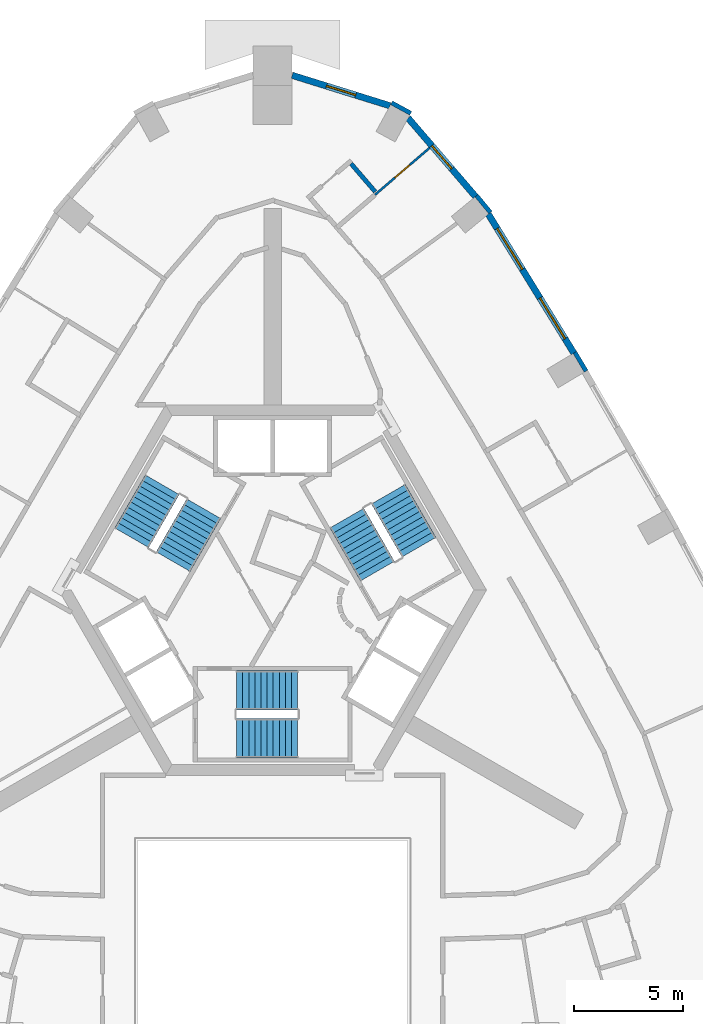
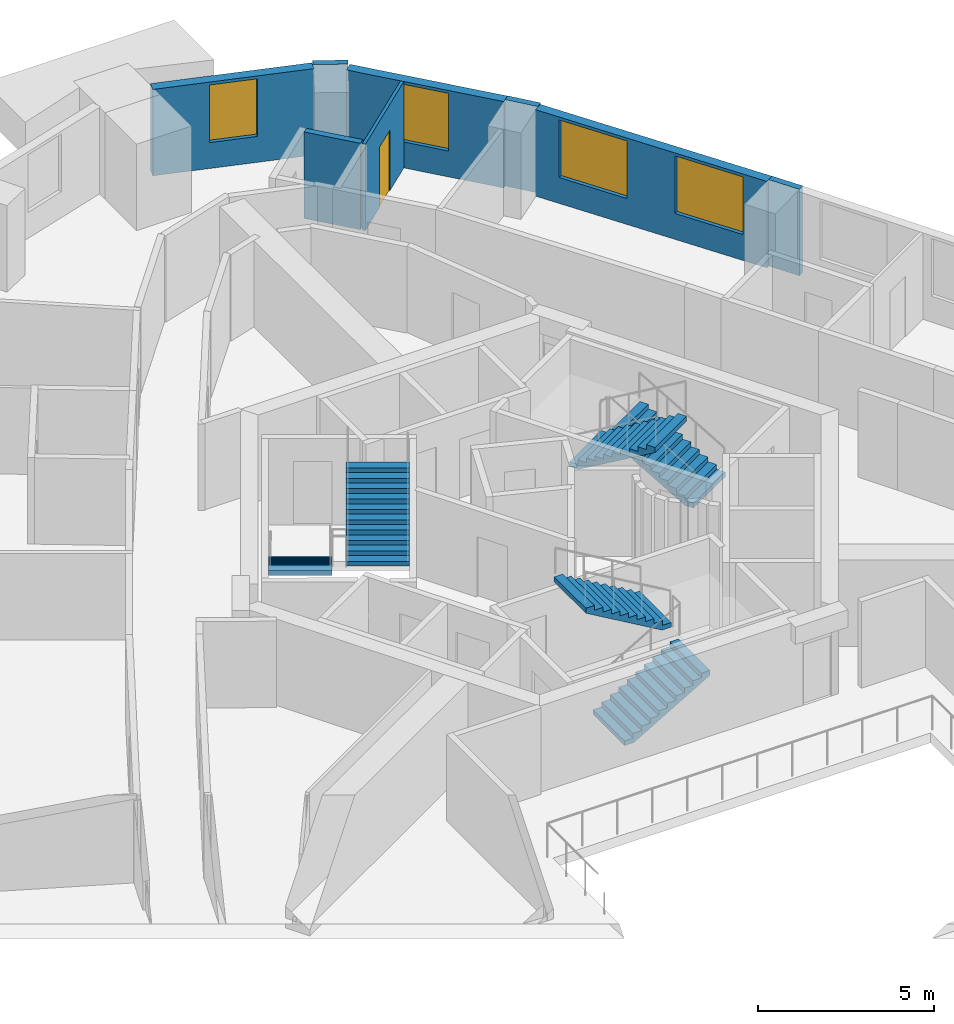
# One storey, part 8 of 10: 8 walls, 6 stair flights, 4 windows, 1 door, 5 openings, 3 elements without a shape of their own.
"""IFC4 building model written with IfcOpenShell, lengths in metres."""

from ifc_helpers import new_model, si_unit, direction, frame, frame_2d, origin, place, context, subcontext, project, spatial, polyline, rectangle, outline, extrude, material, layer, layer_set, type_object, element, fill, aggregate, save


model = new_model("IFC4")

# Units and contexts
model_context = context("Model", 3, precision=1e-05, world=origin(), true_north=direction((0.0, 1.0)))
body_context = subcontext(model_context, "Body", "Model", "MODEL_VIEW")
ifc_project = project(units=[si_unit("LENGTHUNIT", "METRE"), si_unit("AREAUNIT", "SQUARE_METRE"), si_unit("VOLUMEUNIT", "CUBIC_METRE"), si_unit("PLANEANGLEUNIT", "RADIAN"), si_unit("MASSUNIT", "GRAM", prefix="KILO")], contexts=[model_context])

# Site, building, storey
site_placement = place(None, origin())
site = spatial("IfcSite", under=ifc_project, at=site_placement, CompositionType="ELEMENT")
building_placement = place(site_placement, origin())
building = spatial("IfcBuilding", under=site, at=building_placement, Name="Entoto Arch Interchange Tower", CompositionType="ELEMENT")
storey_placement = place(building_placement, frame((0.0, 0.0, 322.39990234375)))
storey = spatial("IfcBuildingStorey", under=building, at=storey_placement, Name="L76", CompositionType="ELEMENT", Elevation=322.39990234375)

# Wall, opening, door
ifc_material_1 = material(Name="Gypsum board partition on steel studs", Category="steel")
ifc_layer_1 = layer(ifc_material_1, 0.10009765625)
ifc_layer_set_1 = layer_set([ifc_layer_1], Name="Gypsum board partition on steel studs")
wall_type_1 = type_object("IfcWallType", Name="PARTITION 100", PredefinedType="PARTITIONING", material=ifc_layer_set_1)
wall_1_placement = place(storey_placement, frame((4.697998046875, 20.632080078125, 0.0), z_axis=(0.0, 0.0, 1.0), x_axis=(0.75843091069, 0.651753445491, 0.0)))
wall_1 = element("IfcWall", 1, at=wall_1_placement, inside=storey, type_object=wall_type_1, Name="wall:L76:p092", PredefinedType="PARTITIONING", context=body_context, shape_type="SweptSolid", body=[
    extrude(rectangle(XDim=3.300048828125, YDim=0.10009765625, at=frame_2d((1.64990234375, 0.0))), origin(), (0.0, 0.0, 1.0), 3.0),
])
opening_1_placement = place(wall_1_placement, frame((1.199951171875, 0.0, 0.0)))
opening_1 = element("IfcOpeningElement", 2, at=opening_1_placement, cuts=wall_1, Name="Opening L76-D08", PredefinedType="OPENING", context=body_context, shape_type="SweptSolid", body=[
    extrude(rectangle(XDim=0.89990234375, YDim=2.10009765625, at=frame_2d((0.449951171875, 1.050048828125))), frame((0.0, 0.06005859375, 0.0), z_axis=(0.0, -1.0, 0.0), x_axis=(1.0, 0.0, 0.0)), (0.0, 0.0, 1.0), 0.1201171875),
])
ifc_material_2 = material(Name="Timber door leaf in Steel S235 frame", Category="steel")
door_type = type_object("IfcDoorType", Name="DOOR DS-09 900x2100", OperationType="SINGLE_SWING_LEFT", PredefinedType="DOOR", material=ifc_material_2)
door_placement = place(opening_1_placement, origin())
door = element("IfcDoor", 3, at=door_placement, inside=storey, type_object=door_type, Name="door:L76:08", OperationType="SINGLE_SWING_RIGHT", OverallHeight=2.10009765625, OverallWidth=0.89990234375, PredefinedType="DOOR", context=body_context, shape_type="SweptSolid", body=[
    extrude(rectangle(XDim=0.89990234375, YDim=2.10009765625, at=frame_2d((0.449951171875, 1.050048828125))), frame((0.0, 0.02490234375, 0.0), z_axis=(0.0, -1.0, 0.0), x_axis=(1.0, 0.0, 0.0)), (0.0, 0.0, 1.0), 0.050048828125),
])
fill(opening_1, door)

# Wall
ifc_layer_2 = layer(ifc_material_1, 0.199951171875)
ifc_layer_set_2 = layer_set([ifc_layer_2], Name="Gypsum board partition on steel studs")
wall_type_2 = type_object("IfcWallType", Name="PARTITION 200", PredefinedType="PARTITIONING", material=ifc_layer_set_2)
wall_2_placement = place(storey_placement, frame((4.708984375, 20.77294921875, 0.0), z_axis=(0.0, 0.0, 1.0), x_axis=(-0.651808051275, 0.758383982092, 0.0)))
element("IfcWall", 4, at=wall_2_placement, inside=storey, type_object=wall_type_2, Name="wall:L76:p094", PredefinedType="PARTITIONING", context=body_context, shape_type="SweptSolid", body=[
    extrude(rectangle(XDim=1.69970703125, YDim=0.199951171875, at=frame_2d((0.849853515625, 0.0))), origin(), (0.0, 0.0, 1.0), 3.0),
])

# Wall, openings, windows
ifc_material_3 = material(Name="Welded tuff (ignimbrite) cladding, warm buff", Category="masonry")
ifc_layer_3 = layer(ifc_material_3, 0.300048828125)
ifc_layer_set_3 = layer_set([ifc_layer_3], Name="Welded tuff (ignimbrite) cladding, warm buff")
wall_type_3 = type_object("IfcWallType", Name="STONE INFILL WALL 300", PredefinedType="STANDARD", material=ifc_layer_set_3)
wall_3_placement = place(storey_placement, frame((13.822998046875, 13.3720703125, 0.0), z_axis=(0.0, 0.0, 1.0), x_axis=(-0.524004608874, 0.851715427757, 0.0)))
wall_3 = element("IfcWall", 5, at=wall_3_placement, inside=storey, type_object=wall_type_3, Name="Facade wall NE-03 L76", PredefinedType="STANDARD", context=body_context, shape_type="SweptSolid", body=[
    extrude(rectangle(XDim=7.48486328125, YDim=0.300048828125, at=frame_2d((3.742431640625, 0.0))), origin(), (0.0, 0.0, 1.0), 3.0),
])
opening_2_placement = place(wall_3_placement, frame((0.77099609375, 0.0, 0.89990234375)))
opening_2 = element("IfcOpeningElement", 6, at=opening_2_placement, cuts=wall_3, Name="Opening WH-A", PredefinedType="OPENING", context=body_context, shape_type="SweptSolid", body=[
    extrude(rectangle(XDim=2.199951171875, YDim=2.0, at=frame_2d((1.10009765625, 1.0))), frame((0.0, 0.16015625, 0.0), z_axis=(0.0, -1.0, 0.0), x_axis=(1.0, 0.0, 0.0)), (0.0, 0.0, 1.0), 0.320068359375),
])
opening_3_placement = place(wall_3_placement, frame((4.513916015625, 0.0, 0.89990234375)))
opening_3 = element("IfcOpeningElement", 7, at=opening_3_placement, cuts=wall_3, Name="Opening WH-A", PredefinedType="OPENING", context=body_context, shape_type="SweptSolid", body=[
    extrude(rectangle(XDim=2.199951171875, YDim=2.0, at=frame_2d((1.10009765625, 1.0))), frame((0.0, 0.16015625, 0.0), z_axis=(0.0, -1.0, 0.0), x_axis=(1.0, 0.0, 0.0)), (0.0, 0.0, 1.0), 0.320068359375),
])
ifc_material_4 = material(Name="Clear glass, low-e double glazed", Category="glass")
window_type_1 = type_object("IfcWindowType", Name="WINDOW WH-A 2200x2000", PartitioningType="DOUBLE_PANEL_VERTICAL", PredefinedType="WINDOW", material=ifc_material_4)
window_1_placement = place(opening_2_placement, origin())
window_1 = element("IfcWindow", 8, at=window_1_placement, inside=storey, type_object=window_type_1, Name="Window WH-A NE-03 L76", OverallHeight=2.0, OverallWidth=2.199951171875, PartitioningType="SINGLE_PANEL", PredefinedType="WINDOW", context=body_context, shape_type="SweptSolid", body=[
    extrude(rectangle(XDim=2.199951171875, YDim=2.0, at=frame_2d((1.10009765625, 1.0))), frame((0.0, 0.030029296875, 0.0), z_axis=(0.0, -1.0, 0.0), x_axis=(1.0, 0.0, 0.0)), (0.0, 0.0, 1.0), 0.06005859375),
])
fill(opening_2, window_1)
window_2_placement = place(opening_3_placement, origin())
window_2 = element("IfcWindow", 9, at=window_2_placement, inside=storey, type_object=window_type_1, Name="Window WH-A NE-03 L76", OverallHeight=2.0, OverallWidth=2.199951171875, PartitioningType="SINGLE_PANEL", PredefinedType="WINDOW", context=body_context, shape_type="SweptSolid", body=[
    extrude(rectangle(XDim=2.199951171875, YDim=2.0, at=frame_2d((1.10009765625, 1.0))), frame((0.0, 0.030029296875, 0.0), z_axis=(0.0, -1.0, 0.0), x_axis=(1.0, 0.0, 0.0)), (0.0, 0.0, 1.0), 0.06005859375),
])
fill(opening_3, window_2)

# Wall, opening, window
wall_4_placement = place(storey_placement, frame((9.31298828125, 20.554931640625, 0.0), z_axis=(0.0, 0.0, 1.0), x_axis=(-0.651684474108, 0.758490175419, 0.0)))
wall_4 = element("IfcWall", 10, at=wall_4_placement, inside=storey, type_object=wall_type_3, Name="Facade wall N-01 L76", PredefinedType="STANDARD", context=body_context, shape_type="SweptSolid", body=[
    extrude(rectangle(XDim=4.747802734375, YDim=0.300048828125, at=frame_2d((2.3740234375, 0.0))), origin(), (0.0, 0.0, 1.0), 3.0),
])
opening_4_placement = place(wall_4_placement, frame((1.674072265625, 0.0, 0.89990234375)))
opening_4 = element("IfcOpeningElement", 11, at=opening_4_placement, cuts=wall_4, Name="Opening WH-B", PredefinedType="OPENING", context=body_context, shape_type="SweptSolid", body=[
    extrude(rectangle(XDim=1.39990234375, YDim=2.0, at=frame_2d((0.699951171875, 1.0))), frame((0.0, 0.16015625, 0.0), z_axis=(0.0, -1.0, 0.0), x_axis=(1.0, 0.0, 0.0)), (0.0, 0.0, 1.0), 0.320068359375),
])
window_type_2 = type_object("IfcWindowType", Name="WINDOW WH-B 1400x2000", PartitioningType="DOUBLE_PANEL_VERTICAL", PredefinedType="WINDOW", material=ifc_material_4)
window_3_placement = place(opening_4_placement, origin())
window_3 = element("IfcWindow", 12, at=window_3_placement, inside=storey, type_object=window_type_2, Name="Window WH-B N-01 L76", OverallHeight=2.0, OverallWidth=1.39990234375, PartitioningType="SINGLE_PANEL", PredefinedType="WINDOW", context=body_context, shape_type="SweptSolid", body=[
    extrude(rectangle(XDim=1.39990234375, YDim=2.0, at=frame_2d((0.699951171875, 1.0))), frame((0.0, 0.030029296875, 0.0), z_axis=(0.0, -1.0, 0.0), x_axis=(1.0, 0.0, 0.0)), (0.0, 0.0, 1.0), 0.06005859375),
])
fill(opening_4, window_3)

wall_5_placement = place(storey_placement, frame((5.388916015625, 24.718017578125, 0.0), z_axis=(0.0, 0.0, 1.0), x_axis=(-0.954792612552, 0.297272714886, 0.0)))
wall_5 = element("IfcWall", 13, at=wall_5_placement, inside=storey, type_object=wall_type_3, Name="Facade wall N-02 L76", PredefinedType="STANDARD", context=body_context, shape_type="SweptSolid", body=[
    extrude(rectangle(XDim=4.70263671875, YDim=0.300048828125, at=frame_2d((2.351318359375, 0.0))), origin(), (0.0, 0.0, 1.0), 3.0),
])
opening_5_placement = place(wall_5_placement, frame((1.65087890625, 0.0, 0.89990234375)))
opening_5 = element("IfcOpeningElement", 14, at=opening_5_placement, cuts=wall_5, Name="Opening WH-B", PredefinedType="OPENING", context=body_context, shape_type="SweptSolid", body=[
    extrude(rectangle(XDim=1.39990234375, YDim=2.0, at=frame_2d((0.699951171875, 1.0))), frame((0.0, 0.16015625, 0.0), z_axis=(0.0, -1.0, 0.0), x_axis=(1.0, 0.0, 0.0)), (0.0, 0.0, 1.0), 0.320068359375),
])
window_4_placement = place(opening_5_placement, origin())
window_4 = element("IfcWindow", 15, at=window_4_placement, inside=storey, type_object=window_type_2, Name="Window WH-B N-02 L76", OverallHeight=2.0, OverallWidth=1.39990234375, PartitioningType="SINGLE_PANEL", PredefinedType="WINDOW", context=body_context, shape_type="SweptSolid", body=[
    extrude(rectangle(XDim=1.39990234375, YDim=2.0, at=frame_2d((0.699951171875, 1.0))), frame((0.0, 0.030029296875, 0.0), z_axis=(0.0, -1.0, 0.0), x_axis=(1.0, 0.0, 0.0)), (0.0, 0.0, 1.0), 0.06005859375),
])
fill(opening_5, window_4)

# Walls
ifc_layer_4 = layer(ifc_material_3, 0.199951171875)
ifc_layer_set_4 = layer_set([ifc_layer_4], Name="Welded tuff (ignimbrite) cladding, warm buff")
wall_type_4 = type_object("IfcWallType", Name="STONE PIER CLADDING 200", PredefinedType="STANDARD", material=ifc_layer_set_4)
for number, where, z_axis, x_axis, name in (
    (16, (6.339111328125, 24.3740234375, 0.0), (0.0, 0.0, 1.0), (-0.877895572914, 0.478852130681, 0.0), "Stone pier N1 L76"),
    (17, (14.384033203125, 12.5439453125, 0.0), (0.0, 0.0, 1.0), (-0.513777707721, 0.857923345672, 0.0), "Stone pier NE03 L76"),
    (18, (9.9951171875, 19.822021484375, 0.0), (0.0, 0.0, 1.0), (-0.635998056672, 0.771690658172, 0.0), "Stone pier NE04 L76"),
):
    element("IfcWall", number, at=place(storey_placement, frame(where, z_axis=z_axis, x_axis=x_axis)), inside=storey, type_object=wall_type_4, Name=name, PredefinedType="STANDARD", context=body_context, shape_type="SweptSolid", body=[
        extrude(rectangle(XDim=1.000244140625, YDim=0.199951171875, at=frame_2d((0.5, 0.0))), origin(), (0.0, 0.0, 1.0), 3.0),
    ])

# Stair, stair flights
ifc_material_5 = material(Name="Concrete C40/50", Category="concrete")
stair_type = type_object("IfcStairType", Name="EXIT STAIR RC 1800", PredefinedType="HALF_TURN_STAIR", material=ifc_material_5)
stair_1_placement = place(storey_placement, origin())
stair_1 = element("IfcStair", 19, at=stair_1_placement, inside=storey, type_object=stair_type, Name="L76 Exit stair S", PredefinedType="HALF_TURN_STAIR")
stair_flight_type = type_object("IfcStairFlightType", Name="EXIT STAIR FLIGHT RC 1800", PredefinedType="STRAIGHT", material=ifc_material_5)
stair_flight_1_placement = place(storey_placement, frame((-1.64990234375, -4.300048828125, 0.0), z_axis=(0.0, 0.0, 1.0), x_axis=(1.0, 0.0, 0.0)))
stair_flight_1 = element("IfcStairFlight", 20, at=stair_flight_1_placement, type_object=stair_flight_type, Name="ST-S flight 1", NumberOfRisers=11, NumberOfTreads=10, PredefinedType="STRAIGHT", RiserHeight=0.163636364, TreadLength=0.28, context=body_context, shape_type="SweptSolid", body=[
    extrude(outline(polyline([(-0.0029296875, 0.0), (-0.0029296875, 0.16357421875), (0.280029296875, 0.16357421875), (0.280029296875, 0.327392578125), (0.56005859375, 0.327392578125), (0.56005859375, 0.490966796875), (0.840087890625, 0.490966796875), (0.840087890625, 0.654541015625), (1.1201171875, 0.654541015625), (1.1201171875, 0.818115234375), (1.39990234375, 0.818115234375), (1.39990234375, 0.98193359375), (1.679931640625, 0.98193359375), (1.679931640625, 1.1455078125), (1.9599609375, 1.1455078125), (1.9599609375, 1.30908203125), (2.239990234375, 1.30908203125), (2.239990234375, 1.47265625), (2.52001953125, 1.47265625), (2.52001953125, 1.636474609375), (2.800048828125, 1.636474609375), (2.802978515625, 1.636474609375), (2.802978515625, 1.464599609375), (0.297119140625, 0.0), (-0.0029296875, 0.0)])), frame((0.0, 0.89990234375, 0.0), z_axis=(0.0, -1.0, 0.0), x_axis=(1.0, 0.0, 0.0)), (0.0, 0.0, 1.0), 1.800048828125),
])
stair_flight_2_placement = place(storey_placement, frame((1.14990234375, -2.10009765625, 1.800048828125), z_axis=(0.0, 0.0, 1.0), x_axis=(-1.0, 0.0, 0.0)))
stair_flight_2 = element("IfcStairFlight", 21, at=stair_flight_2_placement, type_object=stair_flight_type, Name="ST-S flight 2", NumberOfRisers=11, NumberOfTreads=10, PredefinedType="STRAIGHT", RiserHeight=0.163636364, TreadLength=0.28, context=body_context, shape_type="SweptSolid", body=[
    extrude(outline(polyline([(-0.0029296875, 0.0), (-0.0029296875, 0.16357421875), (0.280029296875, 0.16357421875), (0.280029296875, 0.327392578125), (0.56005859375, 0.327392578125), (0.56005859375, 0.490966796875), (0.840087890625, 0.490966796875), (0.840087890625, 0.654541015625), (1.1201171875, 0.654541015625), (1.1201171875, 0.818115234375), (1.39990234375, 0.818115234375), (1.39990234375, 0.98193359375), (1.679931640625, 0.98193359375), (1.679931640625, 1.1455078125), (1.9599609375, 1.1455078125), (1.9599609375, 1.30908203125), (2.239990234375, 1.30908203125), (2.239990234375, 1.47265625), (2.52001953125, 1.47265625), (2.52001953125, 1.636474609375), (2.800048828125, 1.636474609375), (2.802978515625, 1.636474609375), (2.802978515625, 1.464599609375), (0.297119140625, 0.0), (-0.0029296875, 0.0)])), frame((0.0, 0.89990234375, 0.0), z_axis=(0.0, -1.0, 0.0), x_axis=(1.0, 0.0, 0.0)), (0.0, 0.0, 1.0), 1.800048828125),
])
aggregate(stair_1, [stair_flight_1, stair_flight_2])

stair_2_placement = place(storey_placement, origin())
stair_2 = element("IfcStair", 22, at=stair_2_placement, inside=storey, type_object=stair_type, Name="L76 Exit stair NE", PredefinedType="HALF_TURN_STAIR")
stair_flight_3_placement = place(storey_placement, frame((6.7138671875, 4.470947265625, 0.0), z_axis=(0.0, 0.0, 1.0), x_axis=(-0.5, 0.866025403784, 0.0)))
stair_flight_3 = element("IfcStairFlight", 23, at=stair_flight_3_placement, type_object=stair_flight_type, Name="ST-NE flight 1", NumberOfRisers=11, NumberOfTreads=10, PredefinedType="STRAIGHT", RiserHeight=0.163636364, TreadLength=0.28, context=body_context, shape_type="SweptSolid", body=[
    extrude(outline(polyline([(-0.0029296875, 0.0), (-0.0029296875, 0.16357421875), (0.280029296875, 0.16357421875), (0.280029296875, 0.327392578125), (0.56005859375, 0.327392578125), (0.56005859375, 0.490966796875), (0.840087890625, 0.490966796875), (0.840087890625, 0.654541015625), (1.1201171875, 0.654541015625), (1.1201171875, 0.818115234375), (1.39990234375, 0.818115234375), (1.39990234375, 0.98193359375), (1.679931640625, 0.98193359375), (1.679931640625, 1.1455078125), (1.9599609375, 1.1455078125), (1.9599609375, 1.30908203125), (2.239990234375, 1.30908203125), (2.239990234375, 1.47265625), (2.52001953125, 1.47265625), (2.52001953125, 1.636474609375), (2.800048828125, 1.636474609375), (2.802978515625, 1.636474609375), (2.802978515625, 1.464599609375), (0.297119140625, 0.0), (-0.0029296875, 0.0)])), frame((0.0, 0.89990234375, 0.0), z_axis=(0.0, -1.0, 0.0), x_axis=(1.0, 0.0, 0.0)), (0.0, 0.0, 1.0), 1.800048828125),
])
stair_flight_4_placement = place(storey_placement, frame((3.40869140625, 5.7958984375, 1.800048828125), z_axis=(0.0, 0.0, 1.0), x_axis=(0.5, -0.866025403784, 0.0)))
stair_flight_4 = element("IfcStairFlight", 24, at=stair_flight_4_placement, type_object=stair_flight_type, Name="ST-NE flight 2", NumberOfRisers=11, NumberOfTreads=10, PredefinedType="STRAIGHT", RiserHeight=0.163636364, TreadLength=0.28, context=body_context, shape_type="SweptSolid", body=[
    extrude(outline(polyline([(-0.0029296875, 0.0), (-0.0029296875, 0.16357421875), (0.280029296875, 0.16357421875), (0.280029296875, 0.327392578125), (0.56005859375, 0.327392578125), (0.56005859375, 0.490966796875), (0.840087890625, 0.490966796875), (0.840087890625, 0.654541015625), (1.1201171875, 0.654541015625), (1.1201171875, 0.818115234375), (1.39990234375, 0.818115234375), (1.39990234375, 0.98193359375), (1.679931640625, 0.98193359375), (1.679931640625, 1.1455078125), (1.9599609375, 1.1455078125), (1.9599609375, 1.30908203125), (2.239990234375, 1.30908203125), (2.239990234375, 1.47265625), (2.52001953125, 1.47265625), (2.52001953125, 1.636474609375), (2.800048828125, 1.636474609375), (2.802978515625, 1.636474609375), (2.802978515625, 1.464599609375), (0.297119140625, 0.0), (-0.0029296875, 0.0)])), frame((0.0, 0.89990234375, 0.0), z_axis=(0.0, -1.0, 0.0), x_axis=(1.0, 0.0, 0.0)), (0.0, 0.0, 1.0), 1.800048828125),
])
aggregate(stair_2, [stair_flight_3, stair_flight_4])

stair_3_placement = place(storey_placement, origin())
stair_3 = element("IfcStair", 25, at=stair_3_placement, inside=storey, type_object=stair_type, Name="L76 Exit stair NW", PredefinedType="HALF_TURN_STAIR")
stair_flight_5_placement = place(storey_placement, frame((-5.06396484375, 7.328857421875, 0.0), z_axis=(0.0, 0.0, 1.0), x_axis=(-0.5, -0.866025403784, 0.0)))
stair_flight_5 = element("IfcStairFlight", 26, at=stair_flight_5_placement, type_object=stair_flight_type, Name="ST-NW flight 1", NumberOfRisers=11, NumberOfTreads=10, PredefinedType="STRAIGHT", RiserHeight=0.163636364, TreadLength=0.28, context=body_context, shape_type="SweptSolid", body=[
    extrude(outline(polyline([(-0.0029296875, 0.0), (-0.0029296875, 0.16357421875), (0.280029296875, 0.16357421875), (0.280029296875, 0.327392578125), (0.56005859375, 0.327392578125), (0.56005859375, 0.490966796875), (0.840087890625, 0.490966796875), (0.840087890625, 0.654541015625), (1.1201171875, 0.654541015625), (1.1201171875, 0.818115234375), (1.39990234375, 0.818115234375), (1.39990234375, 0.98193359375), (1.679931640625, 0.98193359375), (1.679931640625, 1.1455078125), (1.9599609375, 1.1455078125), (1.9599609375, 1.30908203125), (2.239990234375, 1.30908203125), (2.239990234375, 1.47265625), (2.52001953125, 1.47265625), (2.52001953125, 1.636474609375), (2.800048828125, 1.636474609375), (2.802978515625, 1.636474609375), (2.802978515625, 1.464599609375), (0.297119140625, 0.0), (-0.0029296875, 0.0)])), frame((0.0, 0.89990234375, 0.0), z_axis=(0.0, -1.0, 0.0), x_axis=(1.0, 0.0, 0.0)), (0.0, 0.0, 1.0), 1.800048828125),
])
stair_flight_6_placement = place(storey_placement, frame((-4.558837890625, 3.803955078125, 1.800048828125), z_axis=(0.0, 0.0, 1.0), x_axis=(0.5, 0.866025403784, 0.0)))
stair_flight_6 = element("IfcStairFlight", 27, at=stair_flight_6_placement, type_object=stair_flight_type, Name="ST-NW flight 2", NumberOfRisers=11, NumberOfTreads=10, PredefinedType="STRAIGHT", RiserHeight=0.163636364, TreadLength=0.28, context=body_context, shape_type="SweptSolid", body=[
    extrude(outline(polyline([(-0.0029296875, 0.0), (-0.0029296875, 0.16357421875), (0.280029296875, 0.16357421875), (0.280029296875, 0.327392578125), (0.56005859375, 0.327392578125), (0.56005859375, 0.490966796875), (0.840087890625, 0.490966796875), (0.840087890625, 0.654541015625), (1.1201171875, 0.654541015625), (1.1201171875, 0.818115234375), (1.39990234375, 0.818115234375), (1.39990234375, 0.98193359375), (1.679931640625, 0.98193359375), (1.679931640625, 1.1455078125), (1.9599609375, 1.1455078125), (1.9599609375, 1.30908203125), (2.239990234375, 1.30908203125), (2.239990234375, 1.47265625), (2.52001953125, 1.47265625), (2.52001953125, 1.636474609375), (2.800048828125, 1.636474609375), (2.802978515625, 1.636474609375), (2.802978515625, 1.464599609375), (0.297119140625, 0.0), (-0.0029296875, 0.0)])), frame((0.0, 0.89990234375, 0.0), z_axis=(0.0, -1.0, 0.0), x_axis=(1.0, 0.0, 0.0)), (0.0, 0.0, 1.0), 1.800048828125),
])
aggregate(stair_3, [stair_flight_5, stair_flight_6])

save(model, "model.ifc")
